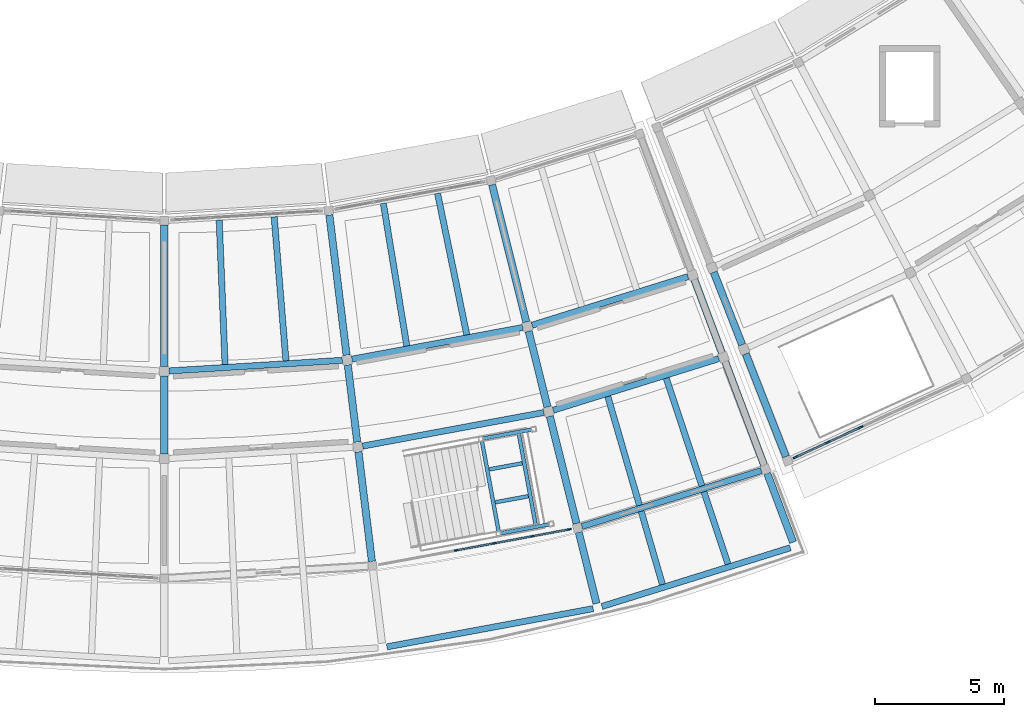
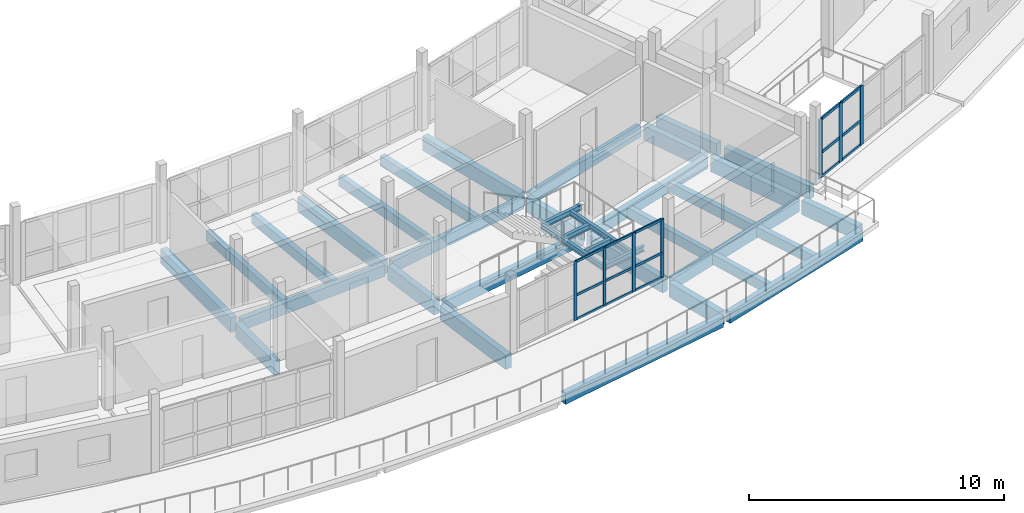
# One storey, part 11 of 24: 34 beams, 22 members, 2 elements without a shape of their own.
"""IFC4 building model written with IfcOpenShell, lengths in metres."""

from ifc_helpers import new_model, si_unit, direction, frame, origin, origin_2d, place, context, subcontext, project, spatial, rectangle, i_section, extrude, material, layer, layer_set, material_profile, profile_set, type_object, element, aggregate, save


model = new_model("IFC4")

# Units and contexts
model_context = context("Model", 3, precision=1e-05, world=origin(), true_north=direction((0.0, 1.0)))
body_context = subcontext(model_context, "Body", "Model", "MODEL_VIEW")
ifc_project = project(units=[si_unit("LENGTHUNIT", "METRE"), si_unit("AREAUNIT", "SQUARE_METRE"), si_unit("VOLUMEUNIT", "CUBIC_METRE"), si_unit("PLANEANGLEUNIT", "RADIAN"), si_unit("MASSUNIT", "GRAM", prefix="KILO")], contexts=[model_context])

# Site, building, storey
site_placement = place(None, origin())
site = spatial("IfcSite", under=ifc_project, at=site_placement, CompositionType="ELEMENT")
building_placement = place(site_placement, origin())
building = spatial("IfcBuilding", under=site, at=building_placement, Name="Caldaven Crescent School", CompositionType="ELEMENT")
storey_placement = place(building_placement, frame((0.0, 0.0, 15.639892578125)))
storey = spatial("IfcBuildingStorey", under=building, at=storey_placement, Name="L04", CompositionType="ELEMENT", Elevation=15.639892578125)

# Beams
ifc_material_1 = material(Name="Glulam MLE24h (GL28h)", Category="wood")
ifc_material_profile_1 = material_profile(ifc_material_1, rectangle(XDim=0.239990234375, YDim=0.5400390625, at=origin_2d()), Name="MLE 240x540")
ifc_profile_set_1 = profile_set([ifc_material_profile_1], Name="Glulam MLE24h (GL28h)")
beam_type_1 = type_object("IfcBeamType", Name="BM-GL54", PredefinedType="BEAM", material=ifc_profile_set_1)
beam_1_placement = place(storey_placement, frame((88.189697265625, 37.711669921875, -0.5), z_axis=(0.998134594988, 0.061051865564, 0.0), x_axis=(-0.061051865564, 0.998134594988, 0.0)))
element("IfcBeam", 1, at=beam_1_placement, inside=storey, type_object=beam_type_1, Name="BMT-V5-L04-1603", PredefinedType="BEAM", context=body_context, shape_type="SweptSolid", body=[
    extrude(rectangle(XDim=0.239990234375, YDim=0.5400390625, at=origin_2d()), origin(), (0.0, 0.0, 1.0), 6.738037109375),
])
beam_2_placement = place(storey_placement, frame((95.291748046875, 38.169189453125, -0.5), z_axis=(0.983253161147, 0.182244948064, 0.0), x_axis=(-0.182244948064, 0.983253161147, 0.0)))
element("IfcBeam", 2, at=beam_2_placement, inside=storey, type_object=beam_type_1, Name="BMT-V5-L04-1612", PredefinedType="BEAM", context=body_context, shape_type="SweptSolid", body=[
    extrude(rectangle(XDim=0.239990234375, YDim=0.5400390625, at=origin_2d()), origin(), (0.0, 0.0, 1.0), 6.73828125),
])
beam_3_placement = place(storey_placement, frame((95.7060546875, 34.79443359375, -0.5), z_axis=(0.983252570715, 0.182248133551, 0.0), x_axis=(-0.182248133551, 0.983252570715, 0.0)))
element("IfcBeam", 3, at=beam_3_placement, inside=storey, type_object=beam_type_1, Name="BMT-V5-L04-1613", PredefinedType="BEAM", context=body_context, shape_type="SweptSolid", body=[
    extrude(rectangle(XDim=0.239990234375, YDim=0.5400390625, at=origin_2d()), origin(), (0.0, 0.0, 1.0), 7.153564453125),
])
beam_4_placement = place(storey_placement, frame((102.285400390625, 39.48828125, -0.5), z_axis=(0.954742820955, 0.297432590405, 0.0), x_axis=(-0.297432590405, 0.954742820955, 0.0)))
element("IfcBeam", 4, at=beam_4_placement, inside=storey, type_object=beam_type_1, Name="BMT-V5-L04-1618", PredefinedType="BEAM", context=body_context, shape_type="SweptSolid", body=[
    extrude(rectangle(XDim=0.239990234375, YDim=0.5400390625, at=origin_2d()), origin(), (0.0, 0.0, 1.0), 6.337646484375),
])
beam_5_placement = place(storey_placement, frame((103.10791015625, 36.189208984375, -0.5), z_axis=(0.954745566142, 0.297423778357, 0.0), x_axis=(-0.297423778357, 0.954745566142, 0.0)))
element("IfcBeam", 5, at=beam_5_placement, inside=storey, type_object=beam_type_1, Name="BMT-V5-L04-1619", PredefinedType="BEAM", context=body_context, shape_type="SweptSolid", body=[
    extrude(rectangle(XDim=0.239990234375, YDim=0.5400390625, at=origin_2d()), origin(), (0.0, 0.0, 1.0), 6.729248046875),
])
beam_6_placement = place(storey_placement, frame((104.218505859375, 31.6728515625, -0.5), z_axis=(0.954749339724, 0.297411664696, 0.0), x_axis=(-0.297411664696, 0.954749339724, 0.0)))
element("IfcBeam", 6, at=beam_6_placement, inside=storey, type_object=beam_type_1, Name="BMT-V5-L04-1620", PredefinedType="BEAM", context=body_context, shape_type="SweptSolid", body=[
    extrude(rectangle(XDim=0.239990234375, YDim=0.5400390625, at=origin_2d()), origin(), (0.0, 0.0, 1.0), 7.295166015625),
])
ifc_material_profile_2 = material_profile(ifc_material_1, rectangle(XDim=0.280029296875, YDim=0.6298828125, at=origin_2d()), Name="MLE 280x630")
ifc_profile_set_2 = profile_set([ifc_material_profile_2], Name="Glulam MLE24h (GL28h)")
beam_type_2 = type_object("IfcBeamType", Name="BM-GL63", PredefinedType="BEAM", material=ifc_profile_set_2)
beam_7_placement = place(storey_placement, frame((109.33642578125, 41.54052734375, -0.544921875), z_axis=(0.364746799564, -0.931106745872, 0.0), x_axis=(0.931106745872, 0.364746799564, 0.0)))
element("IfcBeam", 7, at=beam_7_placement, inside=storey, type_object=beam_type_2, Name="BMR-V4E-L04-1627", PredefinedType="BEAM", context=body_context, shape_type="SweptSolid", body=[
    extrude(rectangle(XDim=0.280029296875, YDim=0.6298828125, at=origin_2d()), origin(), (0.0, 0.0, 1.0), 3.02001953125),
])
beam_8_placement = place(storey_placement, frame((110.57666015625, 38.374755859375, -0.544921875), z_axis=(0.364809625149, -0.931082132467, 0.0), x_axis=(0.931082132467, 0.364809625149, 0.0)))
element("IfcBeam", 8, at=beam_8_placement, inside=storey, type_object=beam_type_2, Name="BMR-V4E-L04-1628", PredefinedType="BEAM", context=body_context, shape_type="SweptSolid", body=[
    extrude(rectangle(XDim=0.280029296875, YDim=0.6298828125, at=origin_2d()), origin(), (0.0, 0.0, 1.0), 4.28515625),
])
ifc_material_profile_3 = material_profile(ifc_material_1, rectangle(XDim=0.280029296875, YDim=0.68994140625, at=origin_2d()), Name="MLE 280x690")
ifc_profile_set_3 = profile_set([ifc_material_profile_3], Name="Glulam MLE24h (GL28h)")
beam_type_3 = type_object("IfcBeamType", Name="BM-GL69", PredefinedType="BEAM", material=ifc_profile_set_3)
beam_9_placement = place(storey_placement, frame((88.0, 43.375, -0.574951171875), z_axis=(0.0, -1.0, 0.0), x_axis=(1.0, 0.0, 0.0)))
element("IfcBeam", 9, at=beam_9_placement, inside=storey, type_object=beam_type_3, Name="BMR-V5-L04-1563", PredefinedType="BEAM", context=body_context, shape_type="SweptSolid", body=[
    extrude(rectangle(XDim=0.280029296875, YDim=0.68994140625, at=origin_2d()), origin(), (0.0, 0.0, 1.0), 5.485107421875),
])
beam_10_placement = place(storey_placement, frame((88.0, 37.510009765625, -0.574951171875), z_axis=(0.0, -1.0, 0.0), x_axis=(1.0, 0.0, 0.0)))
element("IfcBeam", 10, at=beam_10_placement, inside=storey, type_object=beam_type_3, Name="BMR-V5-L04-1564", PredefinedType="BEAM", context=body_context, shape_type="SweptSolid", body=[
    extrude(rectangle(XDim=0.280029296875, YDim=0.68994140625, at=origin_2d()), origin(), (0.0, 0.0, 1.0), 3.02001953125),
])
beam_11_placement = place(storey_placement, frame((94.413330078125, 43.767333984375, -0.574951171875), z_axis=(0.121870530698, -0.992546005859, 0.0), x_axis=(0.992546005859, 0.121870530698, 0.0)))
element("IfcBeam", 11, at=beam_11_placement, inside=storey, type_object=beam_type_3, Name="BMR-V5-L04-1567", PredefinedType="BEAM", context=body_context, shape_type="SweptSolid", body=[
    extrude(rectangle(XDim=0.280029296875, YDim=0.68994140625, at=origin_2d()), origin(), (0.0, 0.0, 1.0), 5.48486328125),
])
beam_12_placement = place(storey_placement, frame((95.128173828125, 37.946044921875, -0.574951171875), z_axis=(0.121825634211, -0.992551517479, 0.0), x_axis=(0.992551517479, 0.121825634211, 0.0)))
element("IfcBeam", 12, at=beam_12_placement, inside=storey, type_object=beam_type_3, Name="BMR-V5-L04-1568", PredefinedType="BEAM", context=body_context, shape_type="SweptSolid", body=[
    extrude(rectangle(XDim=0.280029296875, YDim=0.68994140625, at=origin_2d()), origin(), (0.0, 0.0, 1.0), 3.02001953125),
])
beam_13_placement = place(storey_placement, frame((95.54248046875, 34.5712890625, -0.574951171875), z_axis=(0.121874560739, -0.992545511019, 0.0), x_axis=(0.992545511019, 0.121874560739, 0.0)))
element("IfcBeam", 13, at=beam_13_placement, inside=storey, type_object=beam_type_3, Name="BMR-V5-L04-1569", PredefinedType="BEAM", context=body_context, shape_type="SweptSolid", body=[
    extrude(rectangle(XDim=0.280029296875, YDim=0.68994140625, at=origin_2d()), origin(), (0.0, 0.0, 1.0), 4.284912109375),
])
beam_14_placement = place(storey_placement, frame((100.731201171875, 44.938232421875, -0.574951171875), z_axis=(0.241917657476, -0.970296782949, 0.0), x_axis=(0.970296782949, 0.241917657476, 0.0)))
element("IfcBeam", 14, at=beam_14_placement, inside=storey, type_object=beam_type_3, Name="BMR-V5-L04-1571", PredefinedType="BEAM", context=body_context, shape_type="SweptSolid", body=[
    extrude(rectangle(XDim=0.280029296875, YDim=0.68994140625, at=origin_2d()), origin(), (0.0, 0.0, 1.0), 5.48486328125),
])
beam_15_placement = place(storey_placement, frame((102.14990234375, 39.247314453125, -0.574951171875), z_axis=(0.241964922306, -0.9702849975, 0.0), x_axis=(0.9702849975, 0.241964922306, 0.0)))
element("IfcBeam", 15, at=beam_15_placement, inside=storey, type_object=beam_type_3, Name="BMR-V5-L04-1572", PredefinedType="BEAM", context=body_context, shape_type="SweptSolid", body=[
    extrude(rectangle(XDim=0.280029296875, YDim=0.68994140625, at=origin_2d()), origin(), (0.0, 0.0, 1.0), 3.02001953125),
])
beam_16_placement = place(storey_placement, frame((102.97265625, 35.948486328125, -0.574951171875), z_axis=(0.24191889768, -0.970296473736, 0.0), x_axis=(0.970296473736, 0.24191889768, 0.0)))
element("IfcBeam", 16, at=beam_16_placement, inside=storey, type_object=beam_type_3, Name="BMR-V5-L04-1573", PredefinedType="BEAM", context=body_context, shape_type="SweptSolid", body=[
    extrude(rectangle(XDim=0.280029296875, YDim=0.68994140625, at=origin_2d()), origin(), (0.0, 0.0, 1.0), 4.284912109375),
])
beam_17_placement = place(storey_placement, frame((104.09375, 31.451171875, -0.574951171875), z_axis=(0.241991389687, -0.97027839681, 0.0), x_axis=(0.97027839681, 0.241991389687, 0.0)))
element("IfcBeam", 17, at=beam_17_placement, inside=storey, type_object=beam_type_3, Name="BMR-V5-L04-1574", PredefinedType="BEAM", context=body_context, shape_type="SweptSolid", body=[
    extrude(rectangle(XDim=0.280029296875, YDim=0.68994140625, at=origin_2d()), origin(), (0.0, 0.0, 1.0), 2.85009765625),
])
beam_18_placement = place(storey_placement, frame((108.58447265625, 41.251953125, -0.574951171875), z_axis=(0.351894065748, -0.93603983168, 0.0), x_axis=(0.93603983168, 0.351894065748, 0.0)))
element("IfcBeam", 18, at=beam_18_placement, inside=storey, type_object=beam_type_3, Name="BMR-V5-L04-1576", PredefinedType="BEAM", context=body_context, shape_type="SweptSolid", body=[
    extrude(rectangle(XDim=0.280029296875, YDim=0.68994140625, at=origin_2d()), origin(), (0.0, 0.0, 1.0), 3.02001953125),
])
beam_19_placement = place(storey_placement, frame((109.781005859375, 38.0693359375, -0.574951171875), z_axis=(0.351947522174, -0.936019733572, 0.0), x_axis=(0.936019733572, 0.351947522174, 0.0)))
element("IfcBeam", 19, at=beam_19_placement, inside=storey, type_object=beam_type_3, Name="BMR-V5-L04-1577", PredefinedType="BEAM", context=body_context, shape_type="SweptSolid", body=[
    extrude(rectangle(XDim=0.280029296875, YDim=0.68994140625, at=origin_2d()), origin(), (0.0, 0.0, 1.0), 4.284912109375),
])
beam_20_placement = place(storey_placement, frame((111.412353515625, 33.73095703125, -0.574951171875), z_axis=(0.351902498826, -0.936036661312, 0.0), x_axis=(0.936036661312, 0.351902498826, 0.0)))
element("IfcBeam", 20, at=beam_20_placement, inside=storey, type_object=beam_type_3, Name="BMR-V5-L04-1578", PredefinedType="BEAM", context=body_context, shape_type="SweptSolid", body=[
    extrude(rectangle(XDim=0.280029296875, YDim=0.68994140625, at=origin_2d()), origin(), (0.0, 0.0, 1.0), 2.85009765625),
])
ifc_material_2 = material(Name="Steel ASTM A572 Grade 50", Category="steel")
ifc_material_profile_4 = material_profile(ifc_material_2, i_section(OverallWidth=0.14599609375, OverallDepth=0.258056640625, WebThickness=0.006103515625, FlangeThickness=0.009033203125, FilletRadius=0.011962890625, at=origin_2d()), Name="W250x33")
ifc_profile_set_4 = profile_set([ifc_material_profile_4], Name="Steel ASTM A572 Grade 50")
beam_type_4 = type_object("IfcBeamType", Name="BM-W25", PredefinedType="BEAM", material=ifc_profile_set_4)
for number, where, z_axis, x_axis, name in (
    (21, (100.97119140625, 31.391845703125, 1.546142578125), (0.983254881215, 0.18223566766, 0.0), (-0.18223566766, 0.983254881215, 0.0), "BM-STSIDE-ST3-L04-SL"),
    (22, (100.28955078125, 35.0693359375, 1.546142578125), (0.983254881215, 0.18223566766, 0.0), (-0.18223566766, 0.983254881215, 0.0), "BM-STSIDE-ST3-L04-SR"),
):
    element("IfcBeam", number, at=place(storey_placement, frame(where, z_axis=z_axis, x_axis=x_axis)), inside=storey, type_object=beam_type_4, Name=name, PredefinedType="BEAM", context=body_context, shape_type="SweptSolid", body=[
        extrude(i_section(OverallWidth=0.14599609375, OverallDepth=0.258056640625, WebThickness=0.006103515625, FlangeThickness=0.009033203125, FilletRadius=0.011962890625, at=origin_2d()), origin(), (0.0, 0.0, 1.0), 2.08984375),
    ])
for number, where, z_axis, x_axis, name in (
    (23, (101.00048828125, 31.3974609375, 1.546142578125), (-0.182199128441, 0.983261652662, 0.0), (-0.983261652662, -0.182199128441, 0.0), "BM-STLND-ST3-L04-IN"),
    (24, (102.43603515625, 31.66357421875, 1.546142578125), (-0.182199128441, 0.983261652662, 0.0), (-0.983261652662, -0.182199128441, 0.0), "BM-STLND-ST3-L04-OUT"),
):
    element("IfcBeam", number, at=place(storey_placement, frame(where, z_axis=z_axis, x_axis=x_axis)), inside=storey, type_object=beam_type_4, Name=name, PredefinedType="BEAM", context=body_context, shape_type="SweptSolid", body=[
        extrude(i_section(OverallWidth=0.14599609375, OverallDepth=0.258056640625, WebThickness=0.006103515625, FlangeThickness=0.009033203125, FilletRadius=0.011962890625, at=origin_2d()), origin(), (0.0, 0.0, 1.0), 3.73974609375),
    ])

# Curtain wall, members
ifc_material_3 = material(Name="Anodised aluminium AA 6063-T6 and low-E double glazing", Category="aluminium")
ifc_layer_1 = layer(ifc_material_3, 0.169921875)
ifc_layer_set_1 = layer_set([ifc_layer_1], Name="Anodised aluminium AA 6063-T6 and low-E double glazing")
curtain_wall_type_1 = type_object("IfcCurtainWallType", Name="CW-SYS1", PredefinedType="NOTDEFINED", material=ifc_layer_set_1)
curtain_wall_1_placement = place(storey_placement, origin())
curtain_wall_1 = element("IfcCurtainWall", 25, at=curtain_wall_1_placement, inside=storey, type_object=curtain_wall_type_1, Name="CW-L04-175", PredefinedType="NOTDEFINED")
ifc_material_4 = material(Name="Anodised aluminium AA 6063-T6", Category="aluminium")
ifc_material_profile_5 = material_profile(ifc_material_4, rectangle(XDim=0.06005859375, YDim=0.14990234375, at=origin_2d()), Name="CWM 60x150")
ifc_profile_set_5 = profile_set([ifc_material_profile_5], Name="Anodised aluminium AA 6063-T6")
member_type_1 = type_object("IfcMemberType", Name="CWM-T1", PredefinedType="MULLION", material=ifc_profile_set_5)
member_1_placement = place(storey_placement, frame((99.331298828125, 30.74609375, 0.0), z_axis=(0.0, 0.0, 1.0), x_axis=(-0.182236339268, 0.983254756739, 0.0)))
member_1 = element("IfcMember", 26, at=member_1_placement, type_object=member_type_1, Name="CW1 mullion 3", PredefinedType="MULLION", context=body_context, shape_type="SweptSolid", body=[
    extrude(rectangle(XDim=0.06005859375, YDim=0.14990234375, at=origin_2d()), origin(), (0.0, 0.0, 1.0), 2.820068359375),
])
member_2_placement = place(storey_placement, frame((100.806396484375, 31.01953125, 0.0), z_axis=(0.0, 0.0, 1.0), x_axis=(-0.182236339268, 0.983254756739, 0.0)))
member_2 = element("IfcMember", 27, at=member_2_placement, type_object=member_type_1, Name="CW1 mullion 4", PredefinedType="MULLION", context=body_context, shape_type="SweptSolid", body=[
    extrude(rectangle(XDim=0.06005859375, YDim=0.14990234375, at=origin_2d()), origin(), (0.0, 0.0, 1.0), 2.820068359375),
])
member_3_placement = place(storey_placement, frame((102.281494140625, 31.292724609375, 0.0), z_axis=(0.0, 0.0, 1.0), x_axis=(-0.182236339268, 0.983254756739, 0.0)))
member_3 = element("IfcMember", 28, at=member_3_placement, type_object=member_type_1, Name="CW1 mullion 5", PredefinedType="MULLION", context=body_context, shape_type="SweptSolid", body=[
    extrude(rectangle(XDim=0.06005859375, YDim=0.14990234375, at=origin_2d()), origin(), (0.0, 0.0, 1.0), 2.820068359375),
])
member_4_placement = place(storey_placement, frame((103.72705078125, 31.560791015625, 0.0), z_axis=(0.0, 0.0, 1.0), x_axis=(-0.182236339268, 0.983254756739, 0.0)))
member_4 = element("IfcMember", 29, at=member_4_placement, type_object=member_type_1, Name="CW1 mullion 6", PredefinedType="MULLION", context=body_context, shape_type="SweptSolid", body=[
    extrude(rectangle(XDim=0.06005859375, YDim=0.14990234375, at=origin_2d()), origin(), (0.0, 0.0, 1.0), 2.820068359375),
])

ifc_layer_2 = layer(ifc_material_3, 0.2099609375)
ifc_layer_set_2 = layer_set([ifc_layer_2], Name="Anodised aluminium AA 6063-T6 and low-E double glazing")
curtain_wall_type_2 = type_object("IfcCurtainWallType", Name="CW-SYS3", PredefinedType="NOTDEFINED", material=ifc_layer_set_2)
curtain_wall_2_placement = place(storey_placement, origin())
curtain_wall_2 = element("IfcCurtainWall", 30, at=curtain_wall_2_placement, inside=storey, type_object=curtain_wall_type_2, Name="CW-L04-178", PredefinedType="NOTDEFINED")
ifc_material_profile_6 = material_profile(ifc_material_4, rectangle(XDim=0.070068359375, YDim=0.2099609375, at=origin_2d()), Name="CWM 70x210")
ifc_profile_set_6 = profile_set([ifc_material_profile_6], Name="Anodised aluminium AA 6063-T6")
member_type_2 = type_object("IfcMemberType", Name="CWM-T3", PredefinedType="MULLION", material=ifc_profile_set_6)
member_5_placement = place(storey_placement, frame((112.508056640625, 34.362060546875, 0.0), z_axis=(0.0, 0.0, 1.0), x_axis=(-0.417823271449, 0.908528323078, 0.0)))
member_5 = element("IfcMember", 31, at=member_5_placement, type_object=member_type_2, Name="CW3 mullion 1", PredefinedType="MULLION", context=body_context, shape_type="SweptSolid", body=[
    extrude(rectangle(XDim=0.070068359375, YDim=0.2099609375, at=origin_2d()), origin(), (0.0, 0.0, 1.0), 2.820068359375),
])
member_6_placement = place(storey_placement, frame((113.75634765625, 34.936279296875, 0.0), z_axis=(0.0, 0.0, 1.0), x_axis=(-0.417823271449, 0.908528323078, 0.0)))
member_6 = element("IfcMember", 32, at=member_6_placement, type_object=member_type_2, Name="CW3 mullion 2", PredefinedType="MULLION", context=body_context, shape_type="SweptSolid", body=[
    extrude(rectangle(XDim=0.070068359375, YDim=0.2099609375, at=origin_2d()), origin(), (0.0, 0.0, 1.0), 2.820068359375),
])
member_7_placement = place(storey_placement, frame((115.036376953125, 35.52490234375, 0.0), z_axis=(0.0, 0.0, 1.0), x_axis=(-0.417823271449, 0.908528323078, 0.0)))
member_7 = element("IfcMember", 33, at=member_7_placement, type_object=member_type_2, Name="CW3 mullion 3", PredefinedType="MULLION", context=body_context, shape_type="SweptSolid", body=[
    extrude(rectangle(XDim=0.070068359375, YDim=0.2099609375, at=origin_2d()), origin(), (0.0, 0.0, 1.0), 2.820068359375),
])

# Member
ifc_material_profile_7 = material_profile(ifc_material_4, rectangle(XDim=0.06005859375, YDim=0.1201171875, at=origin_2d()), Name="CWT 60x120")
ifc_profile_set_7 = profile_set([ifc_material_profile_7], Name="Anodised aluminium AA 6063-T6")
member_type_3 = type_object("IfcMemberType", Name="CWT-T1", PredefinedType="USERDEFINED", material=ifc_profile_set_7)
member_8_placement = place(storey_placement, frame((99.36083984375, 30.75146484375, 0.030029296875), z_axis=(0.983253888741, 0.182241022482, 0.0), x_axis=(-0.182241022482, 0.983253888741, 0.0)))
member_8 = element("IfcMember", 34, at=member_8_placement, type_object=member_type_3, Name="CW1 transom 3.1", ObjectType="TRANSOM", PredefinedType="USERDEFINED", context=body_context, shape_type="SweptSolid", body=[
    extrude(rectangle(XDim=0.06005859375, YDim=0.1201171875, at=origin_2d()), origin(), (0.0, 0.0, 1.0), 1.440185546875),
])

member_9_placement = place(storey_placement, frame((99.36083984375, 30.75146484375, 1.18408203125), z_axis=(0.983253888741, 0.182241022482, 0.0), x_axis=(-0.182241022482, 0.983253888741, 0.0)))
member_9 = element("IfcMember", 35, at=member_9_placement, type_object=member_type_3, Name="CW1 transom 3.2", ObjectType="TRANSOM", PredefinedType="USERDEFINED", context=body_context, shape_type="SweptSolid", body=[
    extrude(rectangle(XDim=0.06005859375, YDim=0.1201171875, at=origin_2d()), origin(), (0.0, 0.0, 1.0), 1.440185546875),
])

member_10_placement = place(storey_placement, frame((99.36083984375, 30.75146484375, 2.7900390625), z_axis=(0.983253888741, 0.182241022482, 0.0), x_axis=(-0.182241022482, 0.983253888741, 0.0)))
member_10 = element("IfcMember", 36, at=member_10_placement, type_object=member_type_3, Name="CW1 transom 3.3", ObjectType="TRANSOM", PredefinedType="USERDEFINED", context=body_context, shape_type="SweptSolid", body=[
    extrude(rectangle(XDim=0.06005859375, YDim=0.1201171875, at=origin_2d()), origin(), (0.0, 0.0, 1.0), 1.440185546875),
])

member_11_placement = place(storey_placement, frame((100.8359375, 31.02490234375, 0.030029296875), z_axis=(0.983253888741, 0.182241022482, 0.0), x_axis=(-0.182241022482, 0.983253888741, 0.0)))
member_11 = element("IfcMember", 37, at=member_11_placement, type_object=member_type_3, Name="CW1 transom 4.1", ObjectType="TRANSOM", PredefinedType="USERDEFINED", context=body_context, shape_type="SweptSolid", body=[
    extrude(rectangle(XDim=0.06005859375, YDim=0.1201171875, at=origin_2d()), origin(), (0.0, 0.0, 1.0), 1.440185546875),
])

member_12_placement = place(storey_placement, frame((100.8359375, 31.02490234375, 1.18408203125), z_axis=(0.983253888741, 0.182241022482, 0.0), x_axis=(-0.182241022482, 0.983253888741, 0.0)))
member_12 = element("IfcMember", 38, at=member_12_placement, type_object=member_type_3, Name="CW1 transom 4.2", ObjectType="TRANSOM", PredefinedType="USERDEFINED", context=body_context, shape_type="SweptSolid", body=[
    extrude(rectangle(XDim=0.06005859375, YDim=0.1201171875, at=origin_2d()), origin(), (0.0, 0.0, 1.0), 1.440185546875),
])

member_13_placement = place(storey_placement, frame((100.8359375, 31.02490234375, 2.7900390625), z_axis=(0.983253888741, 0.182241022482, 0.0), x_axis=(-0.182241022482, 0.983253888741, 0.0)))
member_13 = element("IfcMember", 39, at=member_13_placement, type_object=member_type_3, Name="CW1 transom 4.3", ObjectType="TRANSOM", PredefinedType="USERDEFINED", context=body_context, shape_type="SweptSolid", body=[
    extrude(rectangle(XDim=0.06005859375, YDim=0.1201171875, at=origin_2d()), origin(), (0.0, 0.0, 1.0), 1.440185546875),
])

member_14_placement = place(storey_placement, frame((102.31103515625, 31.29833984375, 0.030029296875), z_axis=(0.983271670011, 0.182145060196, 0.0), x_axis=(-0.182145060196, 0.983271670011, 0.0)))
member_14 = element("IfcMember", 40, at=member_14_placement, type_object=member_type_3, Name="CW1 transom 5.1", ObjectType="TRANSOM", PredefinedType="USERDEFINED", context=body_context, shape_type="SweptSolid", body=[
    extrude(rectangle(XDim=0.06005859375, YDim=0.1201171875, at=origin_2d()), origin(), (0.0, 0.0, 1.0), 1.41015625),
])

member_15_placement = place(storey_placement, frame((102.31103515625, 31.29833984375, 1.18408203125), z_axis=(0.983271670011, 0.182145060196, 0.0), x_axis=(-0.182145060196, 0.983271670011, 0.0)))
member_15 = element("IfcMember", 41, at=member_15_placement, type_object=member_type_3, Name="CW1 transom 5.2", ObjectType="TRANSOM", PredefinedType="USERDEFINED", context=body_context, shape_type="SweptSolid", body=[
    extrude(rectangle(XDim=0.06005859375, YDim=0.1201171875, at=origin_2d()), origin(), (0.0, 0.0, 1.0), 1.41015625),
])

member_16_placement = place(storey_placement, frame((102.31103515625, 31.29833984375, 2.7900390625), z_axis=(0.983271670011, 0.182145060196, 0.0), x_axis=(-0.182145060196, 0.983271670011, 0.0)))
member_16 = element("IfcMember", 42, at=member_16_placement, type_object=member_type_3, Name="CW1 transom 5.3", ObjectType="TRANSOM", PredefinedType="USERDEFINED", context=body_context, shape_type="SweptSolid", body=[
    extrude(rectangle(XDim=0.06005859375, YDim=0.1201171875, at=origin_2d()), origin(), (0.0, 0.0, 1.0), 1.41015625),
])

aggregate(curtain_wall_1, [member_1, member_2, member_3, member_4, member_8, member_9, member_10, member_11, member_12, member_13, member_14, member_15, member_16])

ifc_material_profile_8 = material_profile(ifc_material_4, rectangle(XDim=0.06494140625, YDim=0.139892578125, at=origin_2d()), Name="CWT 65x140")
ifc_profile_set_8 = profile_set([ifc_material_profile_8], Name="Anodised aluminium AA 6063-T6")
member_type_4 = type_object("IfcMemberType", Name="CWT-T2", PredefinedType="USERDEFINED", material=ifc_profile_set_8)
member_17_placement = place(storey_placement, frame((112.539794921875, 34.376708984375, 0.03271484375), z_axis=(0.908517459573, 0.417846892596, 0.0), x_axis=(-0.417846892596, 0.908517459573, 0.0)))
member_17 = element("IfcMember", 43, at=member_17_placement, type_object=member_type_4, Name="CW3 transom 1.1", ObjectType="TRANSOM", PredefinedType="USERDEFINED", context=body_context, shape_type="SweptSolid", body=[
    extrude(rectangle(XDim=0.06494140625, YDim=0.139892578125, at=origin_2d()), origin(), (0.0, 0.0, 1.0), 1.30419921875),
])

member_18_placement = place(storey_placement, frame((112.539794921875, 34.376708984375, 1.18408203125), z_axis=(0.908517459573, 0.417846892596, 0.0), x_axis=(-0.417846892596, 0.908517459573, 0.0)))
member_18 = element("IfcMember", 44, at=member_18_placement, type_object=member_type_4, Name="CW3 transom 1.2", ObjectType="TRANSOM", PredefinedType="USERDEFINED", context=body_context, shape_type="SweptSolid", body=[
    extrude(rectangle(XDim=0.06494140625, YDim=0.139892578125, at=origin_2d()), origin(), (0.0, 0.0, 1.0), 1.30419921875),
])

member_19_placement = place(storey_placement, frame((112.539794921875, 34.376708984375, 2.78759765625), z_axis=(0.908517459573, 0.417846892596, 0.0), x_axis=(-0.417846892596, 0.908517459573, 0.0)))
member_19 = element("IfcMember", 45, at=member_19_placement, type_object=member_type_4, Name="CW3 transom 1.3", ObjectType="TRANSOM", PredefinedType="USERDEFINED", context=body_context, shape_type="SweptSolid", body=[
    extrude(rectangle(XDim=0.06494140625, YDim=0.139892578125, at=origin_2d()), origin(), (0.0, 0.0, 1.0), 1.30419921875),
])

member_20_placement = place(storey_placement, frame((113.7880859375, 34.950927734375, 0.03271484375), z_axis=(0.908572121599, 0.417728021389, 0.0), x_axis=(-0.417728021389, 0.908572121599, 0.0)))
member_20 = element("IfcMember", 46, at=member_20_placement, type_object=member_type_4, Name="CW3 transom 2.1", ObjectType="TRANSOM", PredefinedType="USERDEFINED", context=body_context, shape_type="SweptSolid", body=[
    extrude(rectangle(XDim=0.06494140625, YDim=0.139892578125, at=origin_2d()), origin(), (0.0, 0.0, 1.0), 1.3388671875),
])

member_21_placement = place(storey_placement, frame((113.7880859375, 34.950927734375, 1.18408203125), z_axis=(0.908572121599, 0.417728021389, 0.0), x_axis=(-0.417728021389, 0.908572121599, 0.0)))
member_21 = element("IfcMember", 47, at=member_21_placement, type_object=member_type_4, Name="CW3 transom 2.2", ObjectType="TRANSOM", PredefinedType="USERDEFINED", context=body_context, shape_type="SweptSolid", body=[
    extrude(rectangle(XDim=0.06494140625, YDim=0.139892578125, at=origin_2d()), origin(), (0.0, 0.0, 1.0), 1.3388671875),
])

member_22_placement = place(storey_placement, frame((113.7880859375, 34.950927734375, 2.78759765625), z_axis=(0.908572121599, 0.417728021389, 0.0), x_axis=(-0.417728021389, 0.908572121599, 0.0)))
member_22 = element("IfcMember", 48, at=member_22_placement, type_object=member_type_4, Name="CW3 transom 2.3", ObjectType="TRANSOM", PredefinedType="USERDEFINED", context=body_context, shape_type="SweptSolid", body=[
    extrude(rectangle(XDim=0.06494140625, YDim=0.139892578125, at=origin_2d()), origin(), (0.0, 0.0, 1.0), 1.3388671875),
])

aggregate(curtain_wall_2, [member_5, member_6, member_7, member_17, member_18, member_19, member_20, member_21, member_22])

# Beams
ifc_material_profile_9 = material_profile(ifc_material_1, rectangle(XDim=0.239990234375, YDim=0.47998046875, at=origin_2d()), Name="MLE 240x480")
ifc_profile_set_9 = profile_set([ifc_material_profile_9], Name="Glulam MLE24h (GL28h)")
beam_type_5 = type_object("IfcBeamType", Name="JS-GL48", PredefinedType="JOIST", material=ifc_profile_set_9)
for number, where, z_axis, x_axis, name in (
    (49, (90.13525390625, 43.5654296875, -0.469970703125), (0.040730946432, -0.999170150676, 0.0), (0.999170150676, 0.040730946432, 0.0), "JSR-V5-L04-1607"),
    (50, (92.270751953125, 43.696044921875, -0.469970703125), (0.081374360202, -0.996683607521, 0.0), (0.996683607521, 0.081374360202, 0.0), "JSR-V5-L04-1609"),
    (51, (96.509521484375, 44.216552734375, -0.469970703125), (0.162182803006, -0.98676073007, 0.0), (0.98676073007, 0.162182803006, 0.0), "JSR-V5-L04-1615"),
    (52, (98.613037109375, 44.6064453125, -0.469970703125), (0.202263118958, -0.979331216039, 0.0), (0.979331216039, 0.202263118958, 0.0), "JSR-V5-L04-1616"),
):
    element("IfcBeam", number, at=place(storey_placement, frame(where, z_axis=z_axis, x_axis=x_axis)), inside=storey, type_object=beam_type_5, Name=name, PredefinedType="JOIST", context=body_context, shape_type="SweptSolid", body=[
        extrude(rectangle(XDim=0.239990234375, YDim=0.47998046875, at=origin_2d()), origin(), (0.0, 0.0, 1.0), 5.6103515625),
    ])
for number, where, z_axis, x_axis, name in (
    (53, (105.22119140625, 36.72705078125, -0.469970703125), (0.279011621042, -0.96028772528, 0.0), (0.96028772528, 0.279011621042, 0.0), "JSR-V5-L04-1623"),
    (54, (107.488037109375, 37.433349609375, -0.469970703125), (0.315717515133, -0.948853229239, 0.0), (0.948853229239, 0.315717515133, 0.0), "JSR-V5-L04-1625"),
):
    element("IfcBeam", number, at=place(storey_placement, frame(where, z_axis=z_axis, x_axis=x_axis)), inside=storey, type_object=beam_type_5, Name=name, PredefinedType="JOIST", context=body_context, shape_type="SweptSolid", body=[
        extrude(rectangle(XDim=0.239990234375, YDim=0.47998046875, at=origin_2d()), origin(), (0.0, 0.0, 1.0), 7.6083984375),
    ])
ifc_material_profile_10 = material_profile(ifc_material_2, i_section(OverallWidth=0.14599609375, OverallDepth=0.258056640625, WebThickness=0.006103515625, FlangeThickness=0.009033203125, FilletRadius=0.011962890625, at=origin_2d()), Name="W250x33")
ifc_profile_set_10 = profile_set([ifc_material_profile_10], Name="Steel ASTM A572 Grade 50")
beam_type_6 = type_object("IfcBeamType", Name="LN-W25", PredefinedType="LINTEL", material=ifc_profile_set_10)
beam_21_placement = place(storey_placement, frame((100.85693359375, 32.611572265625, 1.546142578125), z_axis=(0.983269549753, 0.182156505588, 0.0), x_axis=(-0.182156505588, 0.983269549753, 0.0)))
element("IfcBeam", 55, at=beam_21_placement, inside=storey, type_object=beam_type_6, Name="BM-STJST-ST3-L04-JL", PredefinedType="LINTEL", context=body_context, shape_type="SweptSolid", body=[
    extrude(i_section(OverallWidth=0.14599609375, OverallDepth=0.258056640625, WebThickness=0.006103515625, FlangeThickness=0.009033203125, FilletRadius=0.011962890625, at=origin_2d()), origin(), (0.0, 0.0, 1.0), 1.300048828125),
])
beam_22_placement = place(storey_placement, frame((100.6201171875, 33.8896484375, 1.546142578125), z_axis=(0.983229654228, 0.182371727651, 0.0), x_axis=(-0.182371727651, 0.983229654228, 0.0)))
element("IfcBeam", 56, at=beam_22_placement, inside=storey, type_object=beam_type_6, Name="BM-STJST-ST3-L04-JR", PredefinedType="LINTEL", context=body_context, shape_type="SweptSolid", body=[
    extrude(i_section(OverallWidth=0.14599609375, OverallDepth=0.258056640625, WebThickness=0.006103515625, FlangeThickness=0.009033203125, FilletRadius=0.011962890625, at=origin_2d()), origin(), (0.0, 0.0, 1.0), 1.2998046875),
])
ifc_material_profile_11 = material_profile(ifc_material_1, rectangle(XDim=0.239990234375, YDim=0.5400390625, at=origin_2d()), Name="MLE 240x540")
ifc_profile_set_11 = profile_set([ifc_material_profile_11], Name="Glulam MLE24h (GL28h)")
beam_type_7 = type_object("IfcBeamType", Name="SP-GL54", PredefinedType="SPANDREL", material=ifc_profile_set_11)
beam_23_placement = place(storey_placement, frame((96.648193359375, 27.000244140625, -0.5), z_axis=(0.9832509704, 0.182256767249, 0.0), x_axis=(-0.182256767249, 0.9832509704, 0.0)))
element("IfcBeam", 57, at=beam_23_placement, inside=storey, type_object=beam_type_7, Name="BMT-V5-L04-1614", PredefinedType="SPANDREL", context=body_context, shape_type="SweptSolid", body=[
    extrude(rectangle(XDim=0.239990234375, YDim=0.5400390625, at=origin_2d()), origin(), (0.0, 0.0, 1.0), 8.141845703125),
])
beam_24_placement = place(storey_placement, frame((104.99267578125, 28.56787109375, -0.5), z_axis=(0.954742048255, 0.29743507072, 0.0), x_axis=(-0.29743507072, 0.954742048255, 0.0)))
element("IfcBeam", 58, at=beam_24_placement, inside=storey, type_object=beam_type_7, Name="BMT-V5-L04-1621", PredefinedType="SPANDREL", context=body_context, shape_type="SweptSolid", body=[
    extrude(rectangle(XDim=0.239990234375, YDim=0.5400390625, at=origin_2d()), origin(), (0.0, 0.0, 1.0), 7.6640625),
])

save(model, "model.ifc")
